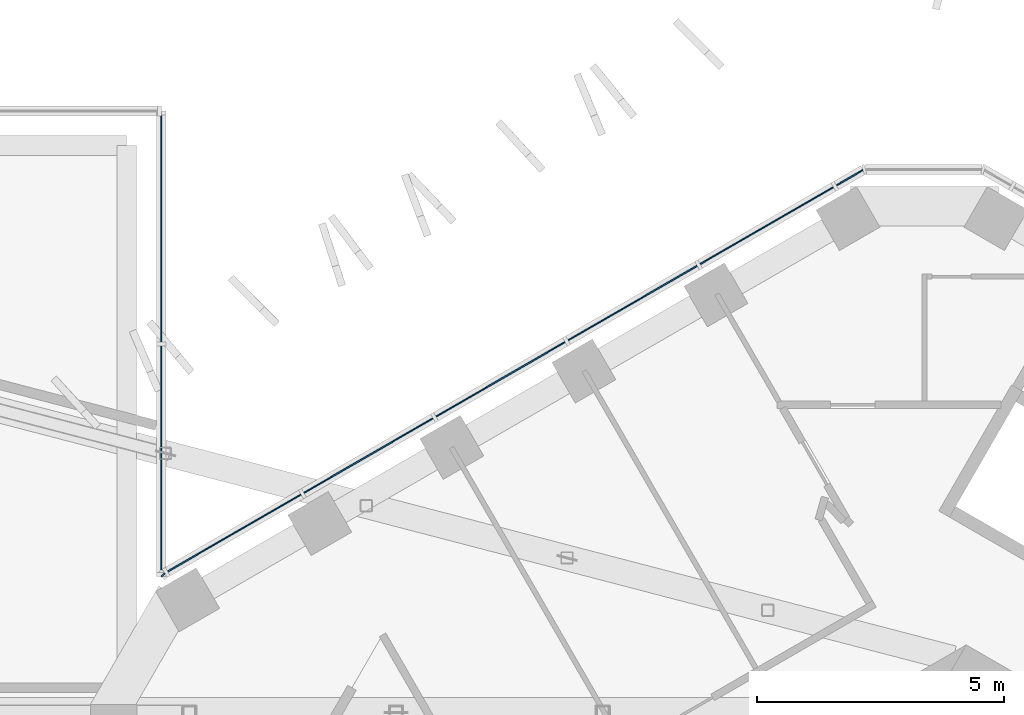
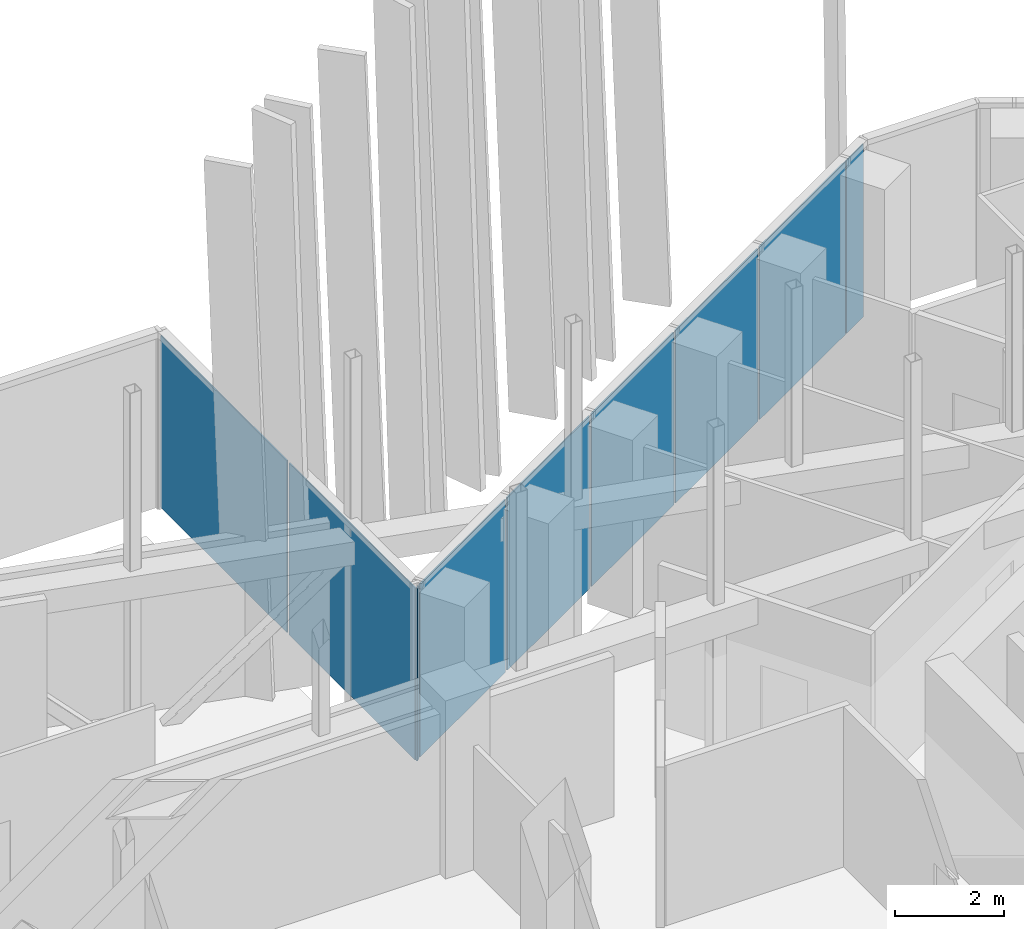
# One storey, part 16 of 28: 9 plates, 4 elements without a shape of their own.
"""IFC4 building model written with IfcOpenShell, lengths in metres."""

from ifc_helpers import new_model, si_unit, direction, frame, origin, origin_2d, place, context, subcontext, project, spatial, rectangle, extrude, material, layer, layer_set, type_object, element, aggregate, save


model = new_model("IFC4")

# Units and contexts
model_context = context("Model", 3, precision=1e-05, world=origin(), true_north=direction((0.0, 1.0)))
body_context = subcontext(model_context, "Body", "Model", "MODEL_VIEW")
ifc_project = project(units=[si_unit("LENGTHUNIT", "METRE"), si_unit("AREAUNIT", "SQUARE_METRE"), si_unit("VOLUMEUNIT", "CUBIC_METRE"), si_unit("PLANEANGLEUNIT", "RADIAN"), si_unit("MASSUNIT", "GRAM", prefix="KILO")], contexts=[model_context])

# Site, building, storey
site_placement = place(None, origin())
site = spatial("IfcSite", under=ifc_project, at=site_placement, CompositionType="ELEMENT")
building_placement = place(site_placement, origin())
building = spatial("IfcBuilding", under=site, at=building_placement, Name="Ayvan Gate Tower", CompositionType="ELEMENT")
storey_placement = place(building_placement, frame((0.0, 0.0, 202.10009765625)))
storey = spatial("IfcBuildingStorey", under=building, at=storey_placement, Name="L54", CompositionType="ELEMENT", Elevation=202.10009765625)

# Curtain wall, plates
ifc_material_1 = material(Name="Bronze anodised aluminium", Category="aluminium")
ifc_layer_1 = layer(ifc_material_1, 0.199951171875)
ifc_layer_set_1 = layer_set([ifc_layer_1], Name="Bronze anodised aluminium")
curtain_wall_type_1 = type_object("IfcCurtainWallType", Name="Stick curtain wall CW-2", PredefinedType="NOTDEFINED", material=ifc_layer_set_1)
curtain_wall_1_placement = place(storey_placement, origin())
curtain_wall_1 = element("IfcCurtainWall", 1, at=curtain_wall_1_placement, inside=storey, type_object=curtain_wall_type_1, Name="Stick curtain wall CW-2 L54", PredefinedType="NOTDEFINED")
ifc_material_2 = material(Name="Clear low-iron laminated glass", Category="glass")
ifc_layer_2 = layer(ifc_material_2, 0.028076171875)
ifc_layer_set_2 = layer_set([ifc_layer_2], Name="Clear low-iron laminated glass")
plate_type_1 = type_object("IfcPlateType", Name="Stick curtain wall CW-2 glass panel", PredefinedType="CURTAIN_PANEL", material=ifc_layer_set_2)
plate_1_placement = place(storey_placement, frame((-4.029052734375, 19.482177734375, 0.0), z_axis=(0.0, 0.0, 1.0), x_axis=(-0.866025403784, -0.5, 0.0)))
plate_1 = element("IfcPlate", 2, at=plate_1_placement, type_object=plate_type_1, Name="CW-2 glass panel 1", PredefinedType="CURTAIN_PANEL", context=body_context, shape_type="SweptSolid", body=[
    extrude(rectangle(XDim=3.155029296875, YDim=0.028076171875, at=origin_2d()), origin(), (0.0, 0.0, 1.0), 3.8798828125),
])
plate_2_placement = place(storey_placement, frame((-6.7646484375, 17.902587890625, 0.0), z_axis=(0.0, 0.0, 1.0), x_axis=(-0.866025403784, -0.5, 0.0)))
plate_2 = element("IfcPlate", 3, at=plate_2_placement, type_object=plate_type_1, Name="CW-2 glass panel 2", PredefinedType="CURTAIN_PANEL", context=body_context, shape_type="SweptSolid", body=[
    extrude(rectangle(XDim=3.02294921875, YDim=0.028076171875, at=origin_2d()), origin(), (0.0, 0.0, 1.0), 3.8798828125),
])
plate_3_placement = place(storey_placement, frame((-9.443359375, 16.356201171875, 0.0), z_axis=(0.0, 0.0, 1.0), x_axis=(-0.866025403784, -0.5, 0.0)))
plate_3 = element("IfcPlate", 4, at=plate_3_placement, type_object=plate_type_1, Name="CW-2 glass panel 3", PredefinedType="CURTAIN_PANEL", context=body_context, shape_type="SweptSolid", body=[
    extrude(rectangle(XDim=3.02294921875, YDim=0.028076171875, at=origin_2d()), origin(), (0.0, 0.0, 1.0), 3.8798828125),
])
plate_4_placement = place(storey_placement, frame((-12.121826171875, 14.8095703125, 0.0), z_axis=(0.0, 0.0, 1.0), x_axis=(-0.866025403784, -0.5, 0.0)))
plate_4 = element("IfcPlate", 5, at=plate_4_placement, type_object=plate_type_1, Name="CW-2 glass panel 4", PredefinedType="CURTAIN_PANEL", context=body_context, shape_type="SweptSolid", body=[
    extrude(rectangle(XDim=3.02294921875, YDim=0.028076171875, at=origin_2d()), origin(), (0.0, 0.0, 1.0), 3.8798828125),
])
plate_5_placement = place(storey_placement, frame((-14.857666015625, 13.230224609375, 0.0), z_axis=(0.0, 0.0, 1.0), x_axis=(-0.866025403784, -0.5, 0.0)))
plate_5 = element("IfcPlate", 6, at=plate_5_placement, type_object=plate_type_1, Name="CW-2 glass panel 5", PredefinedType="CURTAIN_PANEL", context=body_context, shape_type="SweptSolid", body=[
    extrude(rectangle(XDim=3.15478515625, YDim=0.028076171875, at=origin_2d()), origin(), (0.0, 0.0, 1.0), 3.8798828125),
])
aggregate(curtain_wall_1, [plate_1, plate_2, plate_3, plate_4, plate_5])

ifc_layer_3 = layer(ifc_material_1, 0.199951171875)
ifc_layer_set_3 = layer_set([ifc_layer_3], Name="Bronze anodised aluminium")
curtain_wall_type_2 = type_object("IfcCurtainWallType", Name="Stick curtain wall CW-4", PredefinedType="NOTDEFINED", material=ifc_layer_set_3)
curtain_wall_2_placement = place(storey_placement, origin())
curtain_wall_2 = element("IfcCurtainWall", 7, at=curtain_wall_2_placement, inside=storey, type_object=curtain_wall_type_2, Name="Stick curtain wall CW-4 L54", PredefinedType="NOTDEFINED")
ifc_layer_4 = layer(ifc_material_2, 0.028076171875)
ifc_layer_set_4 = layer_set([ifc_layer_4], Name="Clear low-iron laminated glass")
plate_type_2 = type_object("IfcPlateType", Name="Stick curtain wall CW-4 glass panel", PredefinedType="CURTAIN_PANEL", material=ifc_layer_set_4)
plate_6_placement = place(storey_placement, frame((-16.32421875, 19.4384765625, 0.0), z_axis=(0.0, 0.0, 1.0), x_axis=(0.0, 1.0, 0.0)))
plate_6 = element("IfcPlate", 8, at=plate_6_placement, type_object=plate_type_2, Name="CW-4 glass panel 2", PredefinedType="CURTAIN_PANEL", context=body_context, shape_type="SweptSolid", body=[
    extrude(rectangle(XDim=4.64306640625, YDim=0.028076171875, at=origin_2d()), origin(), (0.0, 0.0, 1.0), 3.860107421875),
])
ifc_material_3 = material(Name="Pale anodised aluminium composite panel", Category="aluminium")
ifc_layer_5 = layer(ifc_material_3, 0.028076171875)
ifc_layer_set_5 = layer_set([ifc_layer_5], Name="Pale anodised aluminium composite panel")
plate_type_3 = type_object("IfcPlateType", Name="Stick curtain wall CW-4 solid panel", PredefinedType="CURTAIN_PANEL", material=ifc_layer_set_5)
plate_7_placement = place(storey_placement, frame((-16.32421875, 14.71533203125, 0.0), z_axis=(0.0, 0.0, 1.0), x_axis=(0.0, 1.0, 0.0)))
plate_7 = element("IfcPlate", 9, at=plate_7_placement, type_object=plate_type_3, Name="CW-4 solid panel 1", PredefinedType="CURTAIN_PANEL", context=body_context, shape_type="SweptSolid", body=[
    extrude(rectangle(XDim=4.64306640625, YDim=0.028076171875, at=origin_2d()), origin(), (0.0, 0.0, 1.0), 3.860107421875),
])
aggregate(curtain_wall_2, [plate_7, plate_6])

# Curtain wall, plate
ifc_layer_6 = layer(ifc_material_1, 0.199951171875)
ifc_layer_set_6 = layer_set([ifc_layer_6], Name="Bronze anodised aluminium")
curtain_wall_type_3 = type_object("IfcCurtainWallType", Name="Stick curtain wall CW-6", PredefinedType="NOTDEFINED", material=ifc_layer_set_6)
curtain_wall_3_placement = place(storey_placement, origin())
curtain_wall_3 = element("IfcCurtainWall", 10, at=curtain_wall_3_placement, inside=storey, type_object=curtain_wall_type_3, Name="Stick curtain wall CW-6 L54", PredefinedType="NOTDEFINED")
ifc_layer_7 = layer(ifc_material_2, 0.028076171875)
ifc_layer_set_7 = layer_set([ifc_layer_7], Name="Clear low-iron laminated glass")
plate_type_4 = type_object("IfcPlateType", Name="Stick curtain wall CW-6 glass panel", PredefinedType="CURTAIN_PANEL", material=ifc_layer_set_7)
plate_8_placement = place(storey_placement, frame((-2.36181640625, 20.444580078125, 0.0), z_axis=(0.0, 0.0, 1.0), x_axis=(-0.866025403784, -0.5, 0.0)))
plate_8 = element("IfcPlate", 11, at=plate_8_placement, type_object=plate_type_4, Name="CW-6 glass panel 3", PredefinedType="CURTAIN_PANEL", context=body_context, shape_type="SweptSolid", body=[
    extrude(rectangle(XDim=0.625, YDim=0.028076171875, at=origin_2d()), origin(), (0.0, 0.0, 1.0), 3.8798828125),
])
aggregate(curtain_wall_3, [plate_8])

curtain_wall_4_placement = place(storey_placement, origin())
curtain_wall_4 = element("IfcCurtainWall", 12, at=curtain_wall_4_placement, inside=storey, type_object=curtain_wall_type_3, Name="Stick curtain wall CW-6 L54", PredefinedType="NOTDEFINED")
plate_9_placement = place(storey_placement, frame((-16.2890625, 12.388916015625, 0.0), z_axis=(0.0, 0.0, 1.0), x_axis=(-0.707106781187, -0.707106781187, 0.0)))
plate_9 = element("IfcPlate", 13, at=plate_9_placement, type_object=plate_type_4, Name="CW-6 glass panel 1", PredefinedType="CURTAIN_PANEL", context=body_context, shape_type="SweptSolid", body=[
    extrude(rectangle(XDim=0.099365234375, YDim=0.028076171875, at=origin_2d()), origin(), (0.0, 0.0, 1.0), 3.8798828125),
])
aggregate(curtain_wall_4, [plate_9])

save(model, "model.ifc")
